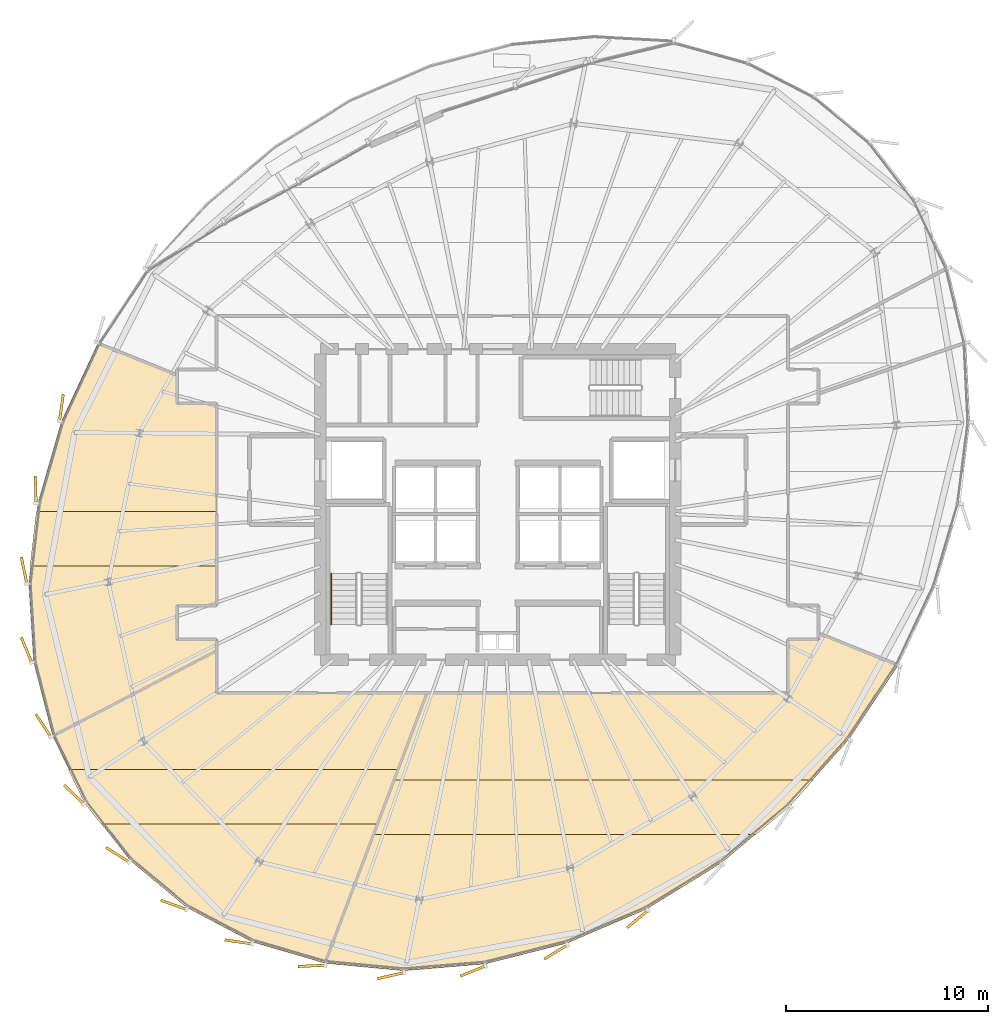
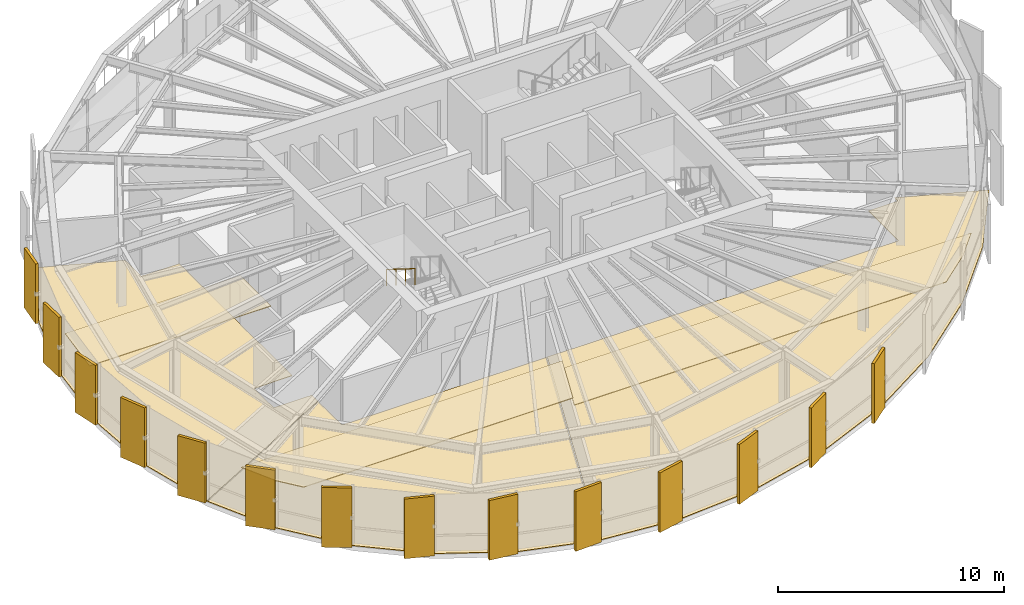
# One storey, part 31 of 33: 20 coverings, 1 railing.
"""IFC4 building model written with IfcOpenShell, lengths in metres."""

from ifc_helpers import new_model, si_unit, direction, frame, origin, origin_2d, place, context, subcontext, project, spatial, polyline, rectangle, circle, outline, extrude, source, transform, mapped, material, layer, layer_set, type_object, element, save


model = new_model("IFC4")

# Units and contexts
model_context = context("Model", 3, precision=1e-05, world=origin(), true_north=direction((0.0, 1.0)))
body_context = subcontext(model_context, "Body", "Model", "MODEL_VIEW")
ifc_project = project(units=[si_unit("LENGTHUNIT", "METRE"), si_unit("AREAUNIT", "SQUARE_METRE"), si_unit("VOLUMEUNIT", "CUBIC_METRE"), si_unit("PLANEANGLEUNIT", "RADIAN"), si_unit("MASSUNIT", "GRAM", prefix="KILO"), si_unit("THERMODYNAMICTEMPERATUREUNIT", "KELVIN")], contexts=[model_context])

# Site, building, storey
site_placement = place(None, origin())
site = spatial("IfcSite", under=ifc_project, at=site_placement, CompositionType="ELEMENT")
building_placement = place(site_placement, origin())
building = spatial("IfcBuilding", under=site, at=building_placement, Name="Kethvar Cultural Tower", CompositionType="ELEMENT")
storey_placement = place(building_placement, frame((0.0, 0.0, 211.39990234375)))
storey = spatial("IfcBuildingStorey", under=building, at=storey_placement, Name="L55", CompositionType="ELEMENT", Elevation=211.39990234375)

# Coverings
ifc_material_1 = material(Name="Acoustic Mineral Fibre Ceiling")
ifc_layer_1 = layer(ifc_material_1, 0.0400390625, Name="Acoustic Mineral Fibre Ceiling")
ifc_layer_set_1 = layer_set([ifc_layer_1], Name="Acoustic Mineral Fibre Ceiling (40 mm)")
covering_type_1 = type_object("IfcCoveringType", Name="CV-ACOUSTIC-CEIL", PredefinedType="CEILING", material=ifc_layer_set_1)
covering_1_placement = place(storey_placement, frame((0.0, 0.0, 2.56005859375)))
element("IfcCovering", 1, at=covering_1_placement, inside=storey, type_object=covering_type_1, Name="L55 Room 01 Acoustic Ceiling Panel", PredefinedType="CEILING", context=body_context, shape_type="SweptSolid", body=[
    extrude(outline(polyline([(26.32177734375, 12.989013671875), (25.508544921875, 14.6552734375), (41.887939453125, 14.6552734375), (40.870849609375, 11.9453125), (27.137451171875, 11.9453125), (26.32177734375, 12.989013671875)])), origin(), (0.0, 0.0, 1.0), 0.0400390625),
])
covering_2_placement = place(storey_placement, frame((0.0, 0.0, 2.56005859375)))
element("IfcCovering", 2, at=covering_2_placement, inside=storey, type_object=covering_type_1, Name="L55 Room 02 Acoustic Ceiling Panel", PredefinedType="CEILING", context=body_context, shape_type="SweptSolid", body=[
    extrude(outline(polyline([(61.293212890625, 12.84619140625), (59.616943359375, 11.439208984375), (40.63818359375, 11.439208984375), (41.6552734375, 14.1494140625), (62.45849609375, 14.1494140625), (61.293212890625, 12.84619140625)])), origin(), (0.0, 0.0, 1.0), 0.0400390625),
])
covering_3_placement = place(storey_placement, frame((0.0, 0.0, 2.56005859375)))
element("IfcCovering", 3, at=covering_3_placement, inside=storey, type_object=covering_type_1, Name="L55 Room 06 Acoustic Ceiling Panel", PredefinedType="CEILING", context=body_context, shape_type="SweptSolid", body=[
    extrude(outline(polyline([(23.92431640625, 27.46142578125), (32.8701171875, 27.46142578125), (32.8701171875, 24.75146484375), (23.61279296875, 24.75146484375), (23.92431640625, 27.46142578125)])), origin(), (0.0, 0.0, 1.0), 0.0400390625),
])
ifc_material_2 = material(Name="Architectural Oak Timber", Category="wood")
ifc_layer_2 = layer(ifc_material_2, 0.02490234375, Name="Architectural Oak Timber", Category="wood")
ifc_layer_set_2 = layer_set([ifc_layer_2], Name="Architectural Oak Timber (25 mm)")
covering_type_2 = type_object("IfcCoveringType", Name="CV-OAK-FLOOR", PredefinedType="FLOORING", material=ifc_layer_set_2)
covering_4_placement = place(storey_placement, origin())
element("IfcCovering", 4, at=covering_4_placement, inside=storey, type_object=covering_type_2, Name="L55 Room 01 Floor Finish", PredefinedType="FLOORING", context=body_context, shape_type="SweptSolid", body=[
    extrude(outline(polyline([(34.63330078125, 6.1123046875), (31.376953125, 7.8291015625), (28.589111328125, 10.152587890625), (26.3544921875, 13.011962890625), (24.74853515625, 16.304931640625), (32.830078125, 20.50927734375), (32.84619140625, 18.430419921875), (43.261962890625, 18.429931640625), (38.243408203125, 5.058837890625), (34.63330078125, 6.1123046875)])), origin(), (0.0, 0.0, 1.0), 0.025146484375),
])
covering_5_placement = place(storey_placement, origin())
element("IfcCovering", 5, at=covering_5_placement, inside=storey, type_object=covering_type_2, Name="L55 Room 02 Floor Finish", PredefinedType="FLOORING", context=body_context, shape_type="SweptSolid", body=[
    extrude(outline(polyline([(64.2109375, 16.169189453125), (61.264404296875, 12.873779296875), (57.882080078125, 10.035888671875), (54.16259765625, 7.73779296875), (50.2197265625, 6.04931640625), (46.1728515625, 5.022216796875), (42.145263671875, 4.68701171875), (38.28369140625, 5.052001953125), (43.3046875, 18.429931640625), (61.203857421875, 18.430419921875), (61.219970703125, 21.080078125), (62.703857421875, 21.080322265625), (62.719970703125, 21.381103515625), (66.628173828125, 19.810791015625), (64.2109375, 16.169189453125)])), origin(), (0.0, 0.0, 1.0), 0.025146484375),
])
covering_6_placement = place(storey_placement, origin())
element("IfcCovering", 6, at=covering_6_placement, inside=storey, type_object=covering_type_2, Name="L55 Room 06 Floor Finish", PredefinedType="FLOORING", context=body_context, shape_type="SweptSolid", body=[
    extrude(outline(polyline([(23.797119140625, 19.978271484375), (23.55224609375, 23.873779296875), (24.013671875, 27.888671875), (25.16748046875, 31.901123046875), (26.971435546875, 35.7734375), (30.8798828125, 34.197509765625), (30.890625, 32.782470703125), (32.830078125, 32.780029296875), (32.830078125, 22.820068359375), (30.8798828125, 22.800048828125), (30.884521484375, 21.08740234375), (32.830078125, 21.080078125), (32.830078125, 20.554443359375), (24.735107421875, 16.343017578125), (23.797119140625, 19.978271484375)])), origin(), (0.0, 0.0, 1.0), 0.025146484375),
])

# Railing
ifc_material_3 = material(Name="Steel S355J2", Category="steel")
railing_type = type_object("IfcRailingType", Name="RL-STAIR-HANDRAIL", PredefinedType="HANDRAIL", material=ifc_material_3)
railing_placement = place(storey_placement, frame((38.5400390625, 24.3701171875, 1.925048828125)))
element("IfcRailing", 7, at=railing_placement, inside=storey, type_object=railing_type, Name="L55 ST-01 stair handrail 2", PredefinedType="HANDRAIL", context=body_context, shape_type="SweptSolid", body=[
    extrude(circle(Radius=0.02392578125, at=origin_2d()), frame((0.0, 0.0, 0.8759765625), z_axis=(0.0, -0.848007534815, 0.529984170421), x_axis=(1.0, 0.0, 0.0)), (0.0, 0.0, 1.0), 2.9716796875),
    extrude(circle(Radius=0.02099609375, at=origin_2d()), origin(), (0.0, 0.0, 1.0), 0.851806640625),
    extrude(circle(Radius=0.02099609375, at=origin_2d()), frame((0.0, -0.840087890625, 0.52490234375)), (0.0, 0.0, 1.0), 0.851806640625),
    extrude(circle(Radius=0.02099609375, at=origin_2d()), frame((0.0, -1.679931640625, 1.050048828125)), (0.0, 0.0, 1.0), 0.851806640625),
    extrude(circle(Radius=0.02099609375, at=origin_2d()), frame((0.0, -2.52001953125, 1.574951171875)), (0.0, 0.0, 1.0), 0.851806640625),
])

# Coverings
ifc_material_4 = material(Name="Extruded Architectural Terracotta", Category="masonry")
ifc_layer_3 = layer(ifc_material_4, 0.135009765625, Name="Extruded Architectural Terracotta", Category="masonry")
ifc_layer_set_3 = layer_set([ifc_layer_3], Name="Extruded Architectural Terracotta (135 mm)")
covering_type_3 = type_object("IfcCoveringType", Name="Terracotta Facade Fin FIN-03", PredefinedType="CLADDING", material=ifc_layer_set_3)
shared_shape = source(origin(), body_context, "Body", "SweptSolid", [
    extrude(rectangle(XDim=1.35009765625, YDim=0.135009765625, at=origin_2d()), origin(), (0.0, 0.0, 1.0), 3.219970703125),
])
for number, where, z_axis, x_axis, name in (
    (8, (25.166259765625, 32.5986328125, 0.02001953125), (0.0, 0.0, 1.0), (0.139864404519, 0.990170666273, 0.0), "L55 Vertical Terracotta Fin 2.6"),
    (9, (23.89306640625, 28.537841796875, 0.02001953125), (0.0, 0.0, 1.0), (-0.025130095443, 0.999684189283, 0.0), "L55 Vertical Terracotta Fin 3.1"),
    (10, (23.31640625, 24.530517578125, 0.02001953125), (0.0, 0.0, 1.0), (-0.201077921146, 0.979575249599, 0.0), "L55 Vertical Terracotta Fin 3.2"),
    (11, (23.44189453125, 20.578857421875, 0.02001953125), (0.0, 0.0, 1.0), (-0.382199637738, 0.924079778435, 0.0), "L55 Vertical Terracotta Fin 3.3"),
    (12, (24.272705078125, 16.838134765625, 0.02001953125), (0.0, 0.0, 1.0), (-0.559192903471, 0.829037572555, 0.0), "L55 Vertical Terracotta Fin 3.4"),
    (13, (25.788818359375, 13.4208984375, 0.02001953125), (0.0, 0.0, 1.0), (-0.719461030139, 0.6945328114, 0.0), "L55 Vertical Terracotta Fin 3.5"),
    (14, (27.949951171875, 10.432861328125, 0.02001953125), (0.0, 0.0, 1.0), (-0.849800708906, 0.527104121728, 0.0), "L55 Vertical Terracotta Fin 3.6"),
    (15, (30.727783203125, 7.9521484375, 0.02001953125), (0.0, 0.0, 1.0), (-0.940880768954, 0.338737920245, 0.0), "L55 Vertical Terracotta Fin 4.1"),
    (16, (33.935302734375, 6.114013671875, 0.02001953125), (0.0, 0.0, 1.0), (-0.989601238154, 0.143838066745, 0.0), "L55 Vertical Terracotta Fin 4.2"),
    (17, (37.573974609375, 4.92431640625, 0.02001953125), (0.0, 0.0, 1.0), (-0.998970569791, -0.045362988129, 0.0), "L55 Vertical Terracotta Fin 4.3"),
    (18, (41.493408203125, 4.43798828125, 0.02001953125), (0.0, 0.0, 1.0), (-0.975303786684, -0.220867661007, 0.0), "L55 Vertical Terracotta Fin 4.4"),
    (19, (45.571044921875, 4.669189453125, 0.02001953125), (0.0, 0.0, 1.0), (-0.925606576571, -0.378487074295, 0.0), "L55 Vertical Terracotta Fin 4.5"),
    (20, (49.68017578125, 5.607421875, 0.02001953125), (0.0, 0.0, 1.0), (-0.855545033584, -0.517728399366, 0.0), "L55 Vertical Terracotta Fin 4.6"),
    (21, (53.727783203125, 7.2412109375, 0.02001953125), (0.0, 0.0, 1.0), (-0.769288057313, -0.638902093341, 0.0), "L55 Vertical Terracotta Fin 5.1"),
):
    element("IfcCovering", number, at=place(storey_placement, frame(where, z_axis=z_axis, x_axis=x_axis)), inside=storey, type_object=covering_type_3, Name=name, PredefinedType="CLADDING", context=body_context, shape_type="MappedRepresentation", body=[
        mapped(shared_shape, transform((0.0, 0.0, 0.0), scale=1.0)),
    ])

save(model, "model.ifc")
